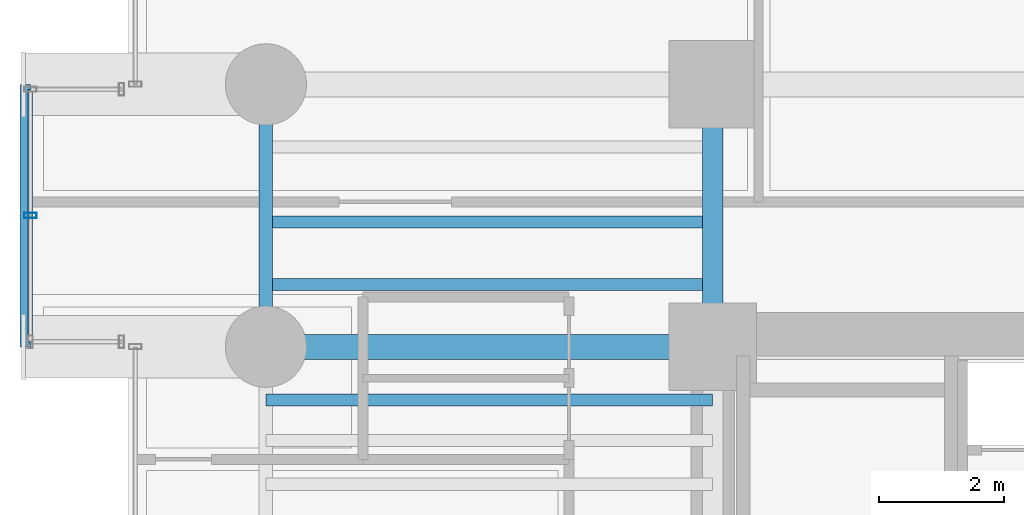
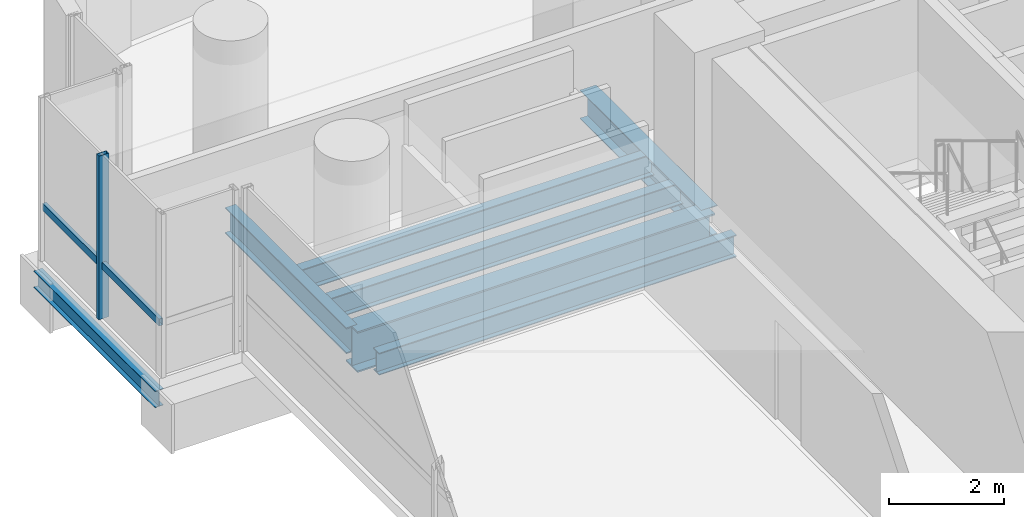
# One storey, part 11 of 40: 7 beams, 2 members, 1 element without a shape of its own.
"""IFC4 building model written with IfcOpenShell, lengths in metres."""

from ifc_helpers import new_model, si_unit, direction, frame, origin, origin_2d, place, context, subcontext, project, spatial, hollow_rectangle, i_section, extrude, source, transform, mapped, material, material_profile, profile_set, type_object, element, aggregate, save


model = new_model("IFC4")

# Units and contexts
model_context = context("Model", 3, precision=1e-05, world=origin(), true_north=direction((0.0, 1.0)))
body_context = subcontext(model_context, "Body", "Model", "MODEL_VIEW")
ifc_project = project(units=[si_unit("LENGTHUNIT", "METRE"), si_unit("AREAUNIT", "SQUARE_METRE"), si_unit("VOLUMEUNIT", "CUBIC_METRE"), si_unit("PLANEANGLEUNIT", "RADIAN"), si_unit("MASSUNIT", "GRAM", prefix="KILO")], contexts=[model_context])

# Site, building, storey
site_placement = place(None, origin())
site = spatial("IfcSite", under=ifc_project, at=site_placement, CompositionType="ELEMENT")
building_placement = place(site_placement, origin())
building = spatial("IfcBuilding", under=site, at=building_placement, Name="Valdorenza Pilgrim Sanctuary Tower", CompositionType="ELEMENT")
storey_placement = place(building_placement, frame((0.0, 0.0, 51.89990234375)))
storey = spatial("IfcBuildingStorey", under=building, at=storey_placement, Name="L12", CompositionType="ELEMENT", Elevation=51.89990234375)

# Beams
ifc_material_1 = material(Name="Steel ASTM A992 Grade 50", Category="steel")
ifc_material_profile_1 = material_profile(ifc_material_1, i_section(OverallWidth=0.214111328125, OverallDepth=0.549072265625, WebThickness=0.0146484375, FlangeThickness=0.023681640625, at=origin_2d()), Name="W21X93")
ifc_profile_set_1 = profile_set([ifc_material_profile_1], Name="Steel ASTM A992 Grade 50")
beam_type_1 = type_object("IfcBeamType", Name="STR-BM-SPN-W21A", PredefinedType="SPANDREL", material=ifc_profile_set_1)
shared_shape_1 = source(origin(), body_context, "Body", "SweptSolid", [
    extrude(i_section(OverallWidth=0.214111328125, OverallDepth=0.549072265625, WebThickness=0.0146484375, FlangeThickness=0.023681640625, at=origin_2d()), origin(), (0.0, 0.0, 1.0), 4.199951171875),
])
beam_1_placement = place(storey_placement, frame((-29.800048828125, 10.60009765625, -0.514404296875), z_axis=(0.0, 1.0, 0.0), x_axis=(-1.0, 0.0, 0.0)))
element("IfcBeam", 1, at=beam_1_placement, inside=storey, type_object=beam_type_1, Name="L12 Spandrel Beam WA-W-N1N2", PredefinedType="SPANDREL", context=body_context, shape_type="MappedRepresentation", body=[
    mapped(shared_shape_1, transform((0.0, 0.0, 0.0), x_axis=(1.0, 0.0, 0.0), y_axis=(0.0, 1.0, 0.0), z_axis=(0.0, 0.0, 1.0), scale=1.0)),
])
ifc_material_profile_2 = material_profile(ifc_material_1, i_section(OverallWidth=0.323974609375, OverallDepth=0.611083984375, WebThickness=0.0126953125, FlangeThickness=0.01904296875, at=origin_2d()), Name="W24X104")
ifc_profile_set_2 = profile_set([ifc_material_profile_2], Name="Steel ASTM A992 Grade 50")
beam_type_2 = type_object("IfcBeamType", Name="STR-BM-GRD-W24B", PredefinedType="BEAM", material=ifc_profile_set_2)
shared_shape_2 = source(origin(), body_context, "Body", "SweptSolid", [
    extrude(i_section(OverallWidth=0.323974609375, OverallDepth=0.611083984375, WebThickness=0.0126953125, FlangeThickness=0.01904296875, at=origin_2d()), origin(), (0.0, 0.0, 1.0), 4.199951171875),
])
beam_2_placement = place(storey_placement, frame((-22.64990234375, 10.60009765625, -0.54541015625), z_axis=(0.0, 1.0, 0.0), x_axis=(-1.0, 0.0, 0.0)))
element("IfcBeam", 2, at=beam_2_placement, inside=storey, type_object=beam_type_2, Name="L12 Core Tie Girder CA-W-N1N2", PredefinedType="BEAM", context=body_context, shape_type="MappedRepresentation", body=[
    mapped(shared_shape_2, transform((0.0, 0.0, 0.0), x_axis=(1.0, 0.0, 0.0), y_axis=(0.0, 1.0, 0.0), z_axis=(0.0, 0.0, 1.0), scale=1.0)),
])
ifc_material_profile_3 = material_profile(ifc_material_1, i_section(OverallWidth=0.193115234375, OverallDepth=0.466064453125, WebThickness=0.011474609375, FlangeThickness=0.01904296875, at=origin_2d()), Name="W18X65")
ifc_profile_set_3 = profile_set([ifc_material_profile_3], Name="Steel ASTM A992 Grade 50")
beam_type_3 = type_object("IfcBeamType", Name="STR-BM-JST-W18A", PredefinedType="JOIST", material=ifc_profile_set_3)
shared_shape_3 = source(origin(), body_context, "Body", "SweptSolid", [
    extrude(i_section(OverallWidth=0.193115234375, OverallDepth=0.466064453125, WebThickness=0.011474609375, FlangeThickness=0.01904296875, at=origin_2d()), origin(), (0.0, 0.0, 1.0), 7.150146484375),
])
for number, where, z_axis, x_axis, name in (
    (3, (-29.800048828125, 9.75, -0.472900390625), (1.0, 0.0, 0.0), (0.0, 1.0, 0.0), "L12 Composite Floor Joist JST-WA-23"),
    (4, (-29.800048828125, 11.60009765625, -0.472900390625), (1.0, 0.0, 0.0), (0.0, 1.0, 0.0), "L12 Composite Floor Joist JST-WA-24"),
    (5, (-29.800048828125, 12.60009765625, -0.472900390625), (1.0, 0.0, 0.0), (0.0, 1.0, 0.0), "L12 Composite Floor Joist JST-WA-25"),
):
    element("IfcBeam", number, at=place(storey_placement, frame(where, z_axis=z_axis, x_axis=x_axis)), inside=storey, type_object=beam_type_3, Name=name, PredefinedType="JOIST", context=body_context, shape_type="MappedRepresentation", body=[
        mapped(shared_shape_3, transform((0.0, 0.0, 0.0), x_axis=(1.0, 0.0, 0.0), y_axis=(0.0, 1.0, 0.0), z_axis=(0.0, 0.0, 1.0), scale=1.0)),
    ])
ifc_material_profile_4 = material_profile(ifc_material_1, i_section(OverallWidth=0.39990234375, OverallDepth=0.862060546875, WebThickness=0.019775390625, FlangeThickness=0.032470703125, at=origin_2d()), Name="W33X221")
ifc_profile_set_4 = profile_set([ifc_material_profile_4], Name="Steel ASTM A992 Grade 50")
beam_type_4 = type_object("IfcBeamType", Name="STR-BM-GRD-W33", PredefinedType="BEAM", material=ifc_profile_set_4)
shared_shape_4 = source(origin(), body_context, "Body", "SweptSolid", [
    extrude(i_section(OverallWidth=0.39990234375, OverallDepth=0.862060546875, WebThickness=0.019775390625, FlangeThickness=0.032470703125, at=origin_2d()), origin(), (0.0, 0.0, 1.0), 7.150146484375),
])
beam_3_placement = place(storey_placement, frame((-29.800048828125, 10.60009765625, -0.6708984375), z_axis=(1.0, 0.0, 0.0), x_axis=(0.0, 1.0, 0.0)))
element("IfcBeam", 6, at=beam_3_placement, inside=storey, type_object=beam_type_4, Name="L12 Floor Girder WA-XW-N1", PredefinedType="BEAM", context=body_context, shape_type="MappedRepresentation", body=[
    mapped(shared_shape_4, transform((0.0, 0.0, 0.0), x_axis=(1.0, 0.0, 0.0), y_axis=(0.0, 1.0, 0.0), z_axis=(0.0, 0.0, 1.0), scale=1.0)),
])
ifc_material_profile_5 = material_profile(ifc_material_1, i_section(OverallWidth=0.1708984375, OverallDepth=0.35107421875, WebThickness=0.0068359375, FlangeThickness=0.009765625, at=origin_2d()), Name="W14X30")
ifc_profile_set_5 = profile_set([ifc_material_profile_5], Name="Steel ASTM A992 Grade 50")
beam_type_5 = type_object("IfcBeamType", Name="STR-BM-BOX-W14", PredefinedType="BEAM", material=ifc_profile_set_5)
shared_shape_5 = source(origin(), body_context, "Body", "SweptSolid", [
    extrude(i_section(OverallWidth=0.1708984375, OverallDepth=0.35107421875, WebThickness=0.0068359375, FlangeThickness=0.009765625, at=origin_2d()), origin(), (0.0, 0.0, 1.0), 4.199951171875),
])
beam_4_placement = place(storey_placement, frame((-33.64990234375, 10.60009765625, -0.415283203125), z_axis=(0.0, 1.0, 0.0), x_axis=(-1.0, 0.0, 0.0)))
element("IfcBeam", 7, at=beam_4_placement, inside=storey, type_object=beam_type_5, Name="L12 Glass Box Edge Beam BOX-WA-L12-F", PredefinedType="BEAM", context=body_context, shape_type="MappedRepresentation", body=[
    mapped(shared_shape_5, transform((0.0, 0.0, 0.0), x_axis=(1.0, 0.0, 0.0), y_axis=(0.0, 1.0, 0.0), z_axis=(0.0, 0.0, 1.0), scale=1.0)),
])

# Curtain wall, members
ifc_material_2 = material(Name="Curtain-wall IGU glazing", Category="glass")
curtain_wall_type = type_object("IfcCurtainWallType", Name="CW-SYS-02", PredefinedType="NOTDEFINED", material=ifc_material_2)
curtain_wall_placement = place(storey_placement, origin())
curtain_wall = element("IfcCurtainWall", 8, at=curtain_wall_placement, inside=storey, type_object=curtain_wall_type, Name="L12 Curtain Wall CW-L12-BOX-WA-L12-F", PredefinedType="NOTDEFINED")
ifc_material_3 = material(Name="Anodised aluminium AW-6060", Category="aluminium")
ifc_material_profile_6 = material_profile(ifc_material_3, hollow_rectangle(XDim=0.0849609375, YDim=0.199951171875, WallThickness=0.0048828125, at=origin_2d()), Name="ALU-M 200x85x5")
ifc_profile_set_6 = profile_set([ifc_material_profile_6], Name="Anodised aluminium AW-6060")
member_type_1 = type_object("IfcMemberType", Name="CW-MUL-02", PredefinedType="MULLION", material=ifc_profile_set_6)
shared_shape_6 = source(origin(), body_context, "Body", "SweptSolid", [
    extrude(hollow_rectangle(XDim=0.0849609375, YDim=0.199951171875, WallThickness=0.0048828125, at=origin_2d()), origin(), (0.0, 0.0, 1.0), 3.460205078125),
])
member_1_placement = place(storey_placement, frame((-33.570068359375, 12.699951171875, 0.0), z_axis=(0.0, 0.0, 1.0), x_axis=(0.0, 1.0, 0.0)))
member_1 = element("IfcMember", 9, at=member_1_placement, type_object=member_type_1, Name="CW-L12-BOX-WA-L12-F Mullion 2", PredefinedType="MULLION", context=body_context, shape_type="MappedRepresentation", body=[
    mapped(shared_shape_6, transform((0.0, 0.0, 0.0), x_axis=(1.0, 0.0, 0.0), y_axis=(0.0, 1.0, 0.0), z_axis=(0.0, 0.0, 1.0), scale=1.0)),
])
ifc_material_profile_7 = material_profile(ifc_material_3, hollow_rectangle(XDim=0.074951171875, YDim=0.14990234375, WallThickness=0.00390625, at=origin_2d()), Name="ALU-T 150x75x4")
ifc_profile_set_7 = profile_set([ifc_material_profile_7], Name="Anodised aluminium AW-6060")
member_type_2 = type_object("IfcMemberType", Name="CW-TRN-02", PredefinedType="USERDEFINED", material=ifc_profile_set_7)
shared_shape_7 = source(origin(), body_context, "Body", "SweptSolid", [
    extrude(hollow_rectangle(XDim=0.074951171875, YDim=0.14990234375, WallThickness=0.00390625, at=origin_2d()), origin(), (0.0, 0.0, 1.0), 4.0400390625),
])
member_2_placement = place(storey_placement, frame((-33.570068359375, 10.679931640625, 1.1201171875), z_axis=(0.0, 1.0, 0.0), x_axis=(-1.0, 0.0, 0.0)))
member_2 = element("IfcMember", 10, at=member_2_placement, type_object=member_type_2, Name="CW-L12-BOX-WA-L12-F Transom 1", ObjectType="TRANSOM", PredefinedType="USERDEFINED", context=body_context, shape_type="MappedRepresentation", body=[
    mapped(shared_shape_7, transform((0.0, 0.0, 0.0), x_axis=(1.0, 0.0, 0.0), y_axis=(0.0, 1.0, 0.0), z_axis=(0.0, 0.0, 1.0), scale=1.0)),
])
aggregate(curtain_wall, [member_1, member_2])

save(model, "model.ifc")
